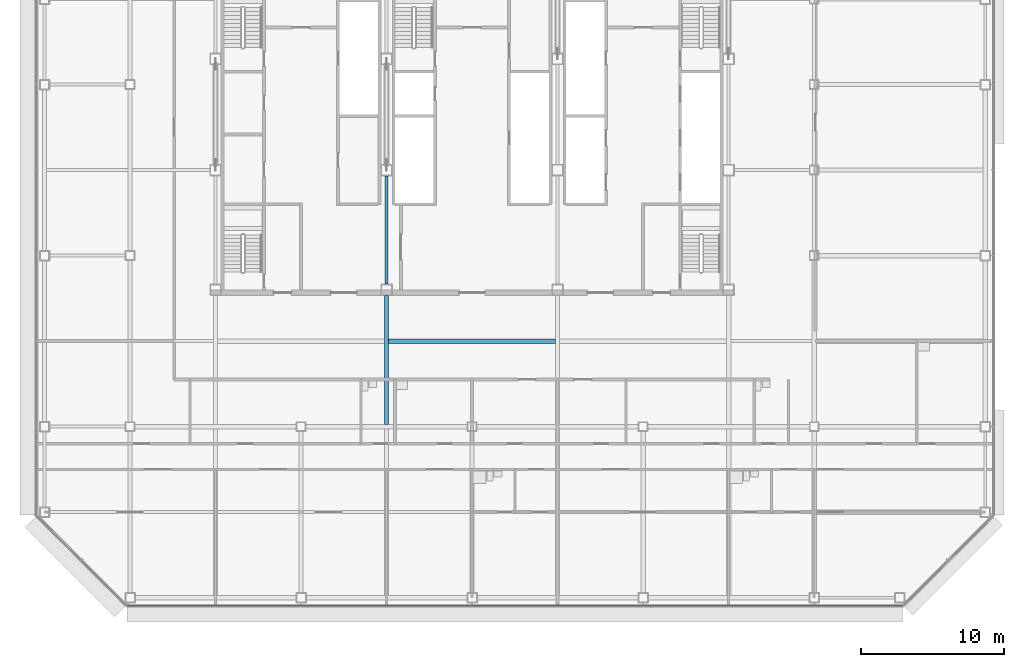
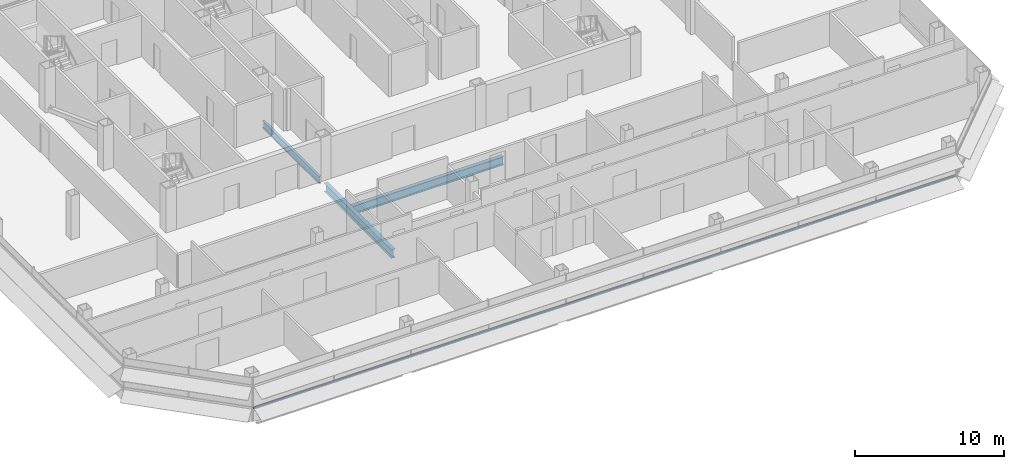
# One storey, part 7 of 24: 3 beams, 1 member, 1 element without a shape of its own.
"""IFC4 building model written with IfcOpenShell, lengths in metres."""

from ifc_helpers import new_model, si_unit, direction, frame, origin, origin_2d, place, context, subcontext, project, spatial, rectangle, i_section, extrude, material, material_profile, profile_set, type_object, element, aggregate, save


model = new_model("IFC4")

# Units and contexts
model_context = context("Model", 3, precision=1e-05, world=origin(), true_north=direction((0.0, 1.0)))
body_context = subcontext(model_context, "Body", "Model", "MODEL_VIEW")
ifc_project = project(units=[si_unit("LENGTHUNIT", "METRE"), si_unit("AREAUNIT", "SQUARE_METRE"), si_unit("VOLUMEUNIT", "CUBIC_METRE"), si_unit("PLANEANGLEUNIT", "RADIAN"), si_unit("MASSUNIT", "GRAM", prefix="KILO")], contexts=[model_context])

# Site, building, storey
site_placement = place(None, origin())
site = spatial("IfcSite", under=ifc_project, at=site_placement, CompositionType="ELEMENT")
building_placement = place(site_placement, origin())
building = spatial("IfcBuilding", under=site, at=building_placement, Name="Sorahane Residences", CompositionType="ELEMENT")
storey_placement = place(building_placement, frame((0.0, 0.0, 170.800048828125)))
storey = spatial("IfcBuildingStorey", under=building, at=storey_placement, Name="L39", CompositionType="ELEMENT", Elevation=170.800048828125)

# Curtain wall, member
ifc_material_1 = material(Name="Dark low-e glass and black anodised aluminium", Category="aluminium")
curtain_wall_type = type_object("IfcCurtainWallType", Name="Curtain wall CW-1 Typical unitised wall", PredefinedType="NOTDEFINED", material=ifc_material_1)
curtain_wall_placement = place(storey_placement, origin())
curtain_wall = element("IfcCurtainWall", 1, at=curtain_wall_placement, inside=storey, type_object=curtain_wall_type, Name="CW-1 curtain wall L39 S1", PredefinedType="NOTDEFINED")
ifc_material_2 = material(Name="Black anodised aluminium", Category="aluminium")
ifc_material_profile_1 = material_profile(ifc_material_2, rectangle(XDim=0.10009765625, YDim=0.06005859375, at=origin_2d()), Name="Curtain wall transom CW-1 black anodised aluminium 60x100")
ifc_profile_set_1 = profile_set([ifc_material_profile_1], Name="Black anodised aluminium")
member_type = type_object("IfcMemberType", Name="Curtain wall transom CW-1 black anodised aluminium 60x100", PredefinedType="USERDEFINED", material=ifc_profile_set_1)
member_placement = place(storey_placement, frame((-0.198486328125, -0.530029296875, 0.89990234375), z_axis=(1.0, 0.0, 0.0), x_axis=(0.0, 1.0, 0.0)))
member = element("IfcMember", 2, at=member_placement, type_object=member_type, Name="CW-1 transom L39 S1", ObjectType="TRANSOM", PredefinedType="USERDEFINED", context=body_context, shape_type="SweptSolid", body=[
    extrude(rectangle(XDim=0.10009765625, YDim=0.06005859375, at=origin_2d()), origin(), (0.0, 0.0, 1.0), 54.39697265625),
])
aggregate(curtain_wall, [member])

# Beams
ifc_material_3 = material(Name="Steel Q355B", Category="steel")
ifc_material_profile_2 = material_profile(ifc_material_3, i_section(OverallWidth=0.199951171875, OverallDepth=0.60009765625, WebThickness=0.010986328125, FlangeThickness=0.01708984375, FilletRadius=0.02392578125, at=origin_2d()), Name="HN 600x200x11x17")
ifc_profile_set_2 = profile_set([ifc_material_profile_2], Name="Steel Q355B")
beam_type_1 = type_object("IfcBeamType", Name="Steel floor beam HN 600x200x11x17 Q355B", PredefinedType="BEAM", material=ifc_profile_set_2)
beam_1_placement = place(storey_placement, frame((18.0, 22.0, -0.47998046875), z_axis=(0.0, 1.0, 0.0), x_axis=(-1.0, 0.0, 0.0)))
element("IfcBeam", 3, at=beam_1_placement, inside=storey, type_object=beam_type_1, Name="Beam L39 038", PredefinedType="BEAM", context=body_context, shape_type="SweptSolid", body=[
    extrude(i_section(OverallWidth=0.199951171875, OverallDepth=0.60009765625, WebThickness=0.010986328125, FlangeThickness=0.01708984375, FilletRadius=0.02392578125, at=origin_2d()), origin(), (0.0, 0.0, 1.0), 7.60009765625),
])
ifc_material_4 = material(Name="Steel Q355B", Category="steel")
ifc_material_profile_3 = material_profile(ifc_material_4, i_section(OverallWidth=0.300048828125, OverallDepth=0.699951171875, WebThickness=0.012939453125, FlangeThickness=0.02392578125, FilletRadius=0.028076171875, at=origin_2d()), Name="HN 700x300x13x24")
ifc_profile_set_3 = profile_set([ifc_material_profile_3], Name="Steel Q355B")
beam_type_2 = type_object("IfcBeamType", Name="Steel floor beam HN 700x300x13x24 Q355B", PredefinedType="BEAM", material=ifc_profile_set_3)
beam_2_placement = place(storey_placement, frame((18.0, 12.14990234375, -0.530029296875), z_axis=(0.0, 1.0, 0.0), x_axis=(-1.0, 0.0, 0.0)))
element("IfcBeam", 4, at=beam_2_placement, inside=storey, type_object=beam_type_2, Name="Beam L39 037", PredefinedType="BEAM", context=body_context, shape_type="SweptSolid", body=[
    extrude(i_section(OverallWidth=0.300048828125, OverallDepth=0.699951171875, WebThickness=0.012939453125, FlangeThickness=0.02392578125, FilletRadius=0.028076171875, at=origin_2d()), origin(), (0.0, 0.0, 1.0), 9.050048828125),
])
beam_3_placement = place(storey_placement, frame((18.14990234375, 18.0, -0.530029296875), z_axis=(1.0, 0.0, 0.0), x_axis=(0.0, 1.0, 0.0)))
element("IfcBeam", 5, at=beam_3_placement, inside=storey, type_object=beam_type_2, Name="Beam L39 081", PredefinedType="BEAM", context=body_context, shape_type="SweptSolid", body=[
    extrude(i_section(OverallWidth=0.300048828125, OverallDepth=0.699951171875, WebThickness=0.012939453125, FlangeThickness=0.02392578125, FilletRadius=0.028076171875, at=origin_2d()), origin(), (0.0, 0.0, 1.0), 11.7001953125),
])

save(model, "model.ifc")
